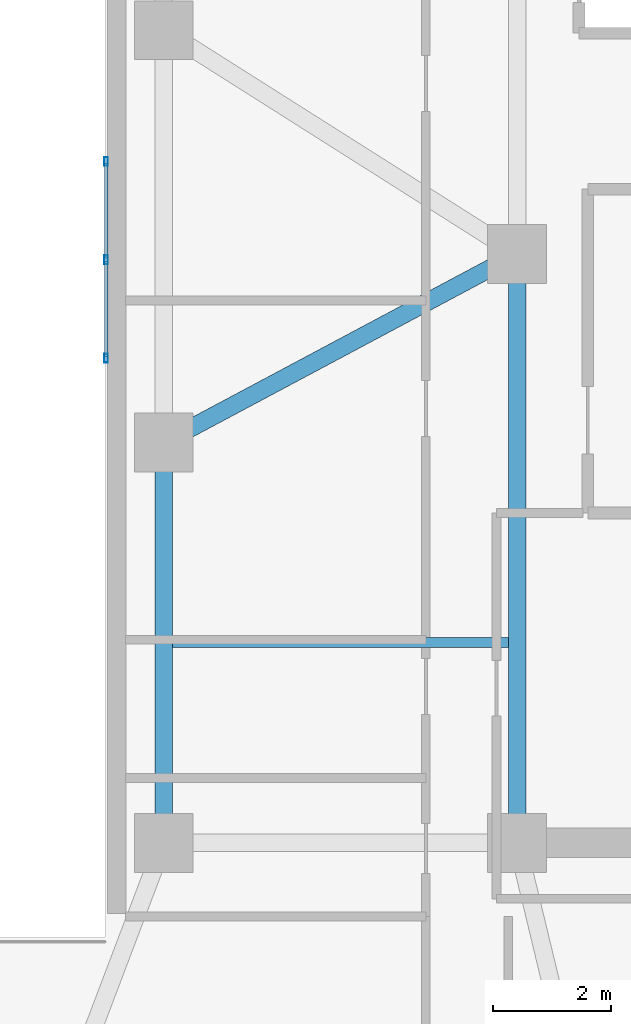
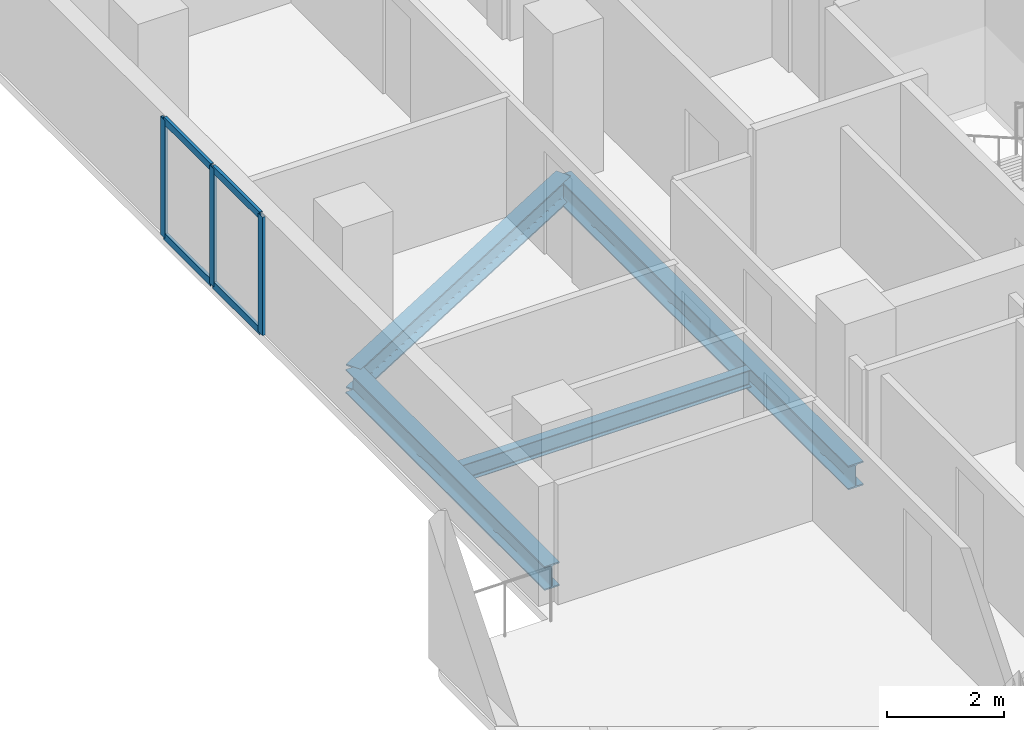
# One storey, part 8 of 18: 7 members, 4 beams, 1 element without a shape of its own.
"""IFC4 building model written with IfcOpenShell, lengths in metres."""

from ifc_helpers import new_model, si_unit, direction, frame, origin, origin_2d, place, context, subcontext, project, spatial, hollow_rectangle, i_section, extrude, material, material_profile, profile_set, type_object, element, aggregate, save


model = new_model("IFC4")

# Units and contexts
model_context = context("Model", 3, precision=1e-05, world=origin(), true_north=direction((0.0, 1.0)))
body_context = subcontext(model_context, "Body", "Model", "MODEL_VIEW")
ifc_project = project(units=[si_unit("LENGTHUNIT", "METRE"), si_unit("AREAUNIT", "SQUARE_METRE"), si_unit("VOLUMEUNIT", "CUBIC_METRE"), si_unit("PLANEANGLEUNIT", "RADIAN"), si_unit("MASSUNIT", "GRAM", prefix="KILO")], contexts=[model_context])

# Site, building, storey
site_placement = place(None, origin())
site = spatial("IfcSite", under=ifc_project, at=site_placement, CompositionType="ELEMENT")
building_placement = place(site_placement, origin())
building = spatial("IfcBuilding", under=site, at=building_placement, Name="Kuzgunbayir Cultural Tower", CompositionType="ELEMENT")
storey_placement = place(building_placement, frame((0.0, 0.0, 53.199951171875)))
storey = spatial("IfcBuildingStorey", under=building, at=storey_placement, Name="L14", CompositionType="ELEMENT", Elevation=53.199951171875)

# Beams
ifc_material_1 = material(Name="Steel S355J2", Category="steel")
ifc_material_profile_1 = material_profile(ifc_material_1, i_section(OverallWidth=0.300048828125, OverallDepth=0.5, WebThickness=0.014404296875, FlangeThickness=0.028076171875, FilletRadius=0.027099609375, at=origin_2d()), Name="HEB 500")
ifc_profile_set_1 = profile_set([ifc_material_profile_1], Name="Steel S355J2")
beam_type_1 = type_object("IfcBeamType", Name="BM-EXT-HEB500", PredefinedType="BEAM", material=ifc_profile_set_1)
beam_1_placement = place(storey_placement, frame((58.60009765625, 22.0, -0.429931640625), z_axis=(0.0, 1.0, 0.0), x_axis=(-1.0, 0.0, 0.0)))
element("IfcBeam", 1, at=beam_1_placement, inside=storey, type_object=beam_type_1, Name="L14 Companion West Girder", PredefinedType="BEAM", context=body_context, shape_type="SweptSolid", body=[
    extrude(i_section(OverallWidth=0.300048828125, OverallDepth=0.5, WebThickness=0.014404296875, FlangeThickness=0.028076171875, FilletRadius=0.027099609375, at=origin_2d()), origin(), (0.0, 0.0, 1.0), 6.800048828125),
])
ifc_material_profile_2 = material_profile(ifc_material_1, i_section(OverallWidth=0.300048828125, OverallDepth=0.5, WebThickness=0.014404296875, FlangeThickness=0.028076171875, FilletRadius=0.027099609375, at=origin_2d()), Name="HEB 500")
ifc_profile_set_2 = profile_set([ifc_material_profile_2], Name="Steel S355J2")
beam_type_2 = type_object("IfcBeamType", Name="BM-GIR-HEB500", PredefinedType="BEAM", material=ifc_profile_set_2)
beam_2_placement = place(storey_placement, frame((58.60009765625, 28.800048828125, -0.429931640625), z_axis=(0.882355922736, 0.470582644828, 0.0), x_axis=(-0.470582644828, 0.882355922736, 0.0)))
element("IfcBeam", 2, at=beam_2_placement, inside=storey, type_object=beam_type_2, Name="L14 Companion Transverse Girder 2", PredefinedType="BEAM", context=body_context, shape_type="SweptSolid", body=[
    extrude(i_section(OverallWidth=0.300048828125, OverallDepth=0.5, WebThickness=0.014404296875, FlangeThickness=0.028076171875, FilletRadius=0.027099609375, at=origin_2d()), origin(), (0.0, 0.0, 1.0), 6.800048828125),
])
beam_3_placement = place(storey_placement, frame((64.60009765625, 22.0, -0.429931640625), z_axis=(0.0, 1.0, 0.0), x_axis=(-1.0, 0.0, 0.0)))
element("IfcBeam", 3, at=beam_3_placement, inside=storey, type_object=beam_type_2, Name="L14 Companion Core West Girder 1", PredefinedType="BEAM", context=body_context, shape_type="SweptSolid", body=[
    extrude(i_section(OverallWidth=0.300048828125, OverallDepth=0.5, WebThickness=0.014404296875, FlangeThickness=0.028076171875, FilletRadius=0.027099609375, at=origin_2d()), origin(), (0.0, 0.0, 1.0), 10.0),
])
ifc_material_profile_3 = material_profile(ifc_material_1, i_section(OverallWidth=0.169921875, OverallDepth=0.360107421875, WebThickness=0.008056640625, FlangeThickness=0.0126953125, FilletRadius=0.01806640625, at=origin_2d()), Name="IPE 360")
ifc_profile_set_3 = profile_set([ifc_material_profile_3], Name="Steel S355J2")
beam_type_3 = type_object("IfcBeamType", Name="BM-JST-IPE360", PredefinedType="JOIST", material=ifc_profile_set_3)
beam_4_placement = place(storey_placement, frame((58.75, 25.39990234375, -0.35986328125), z_axis=(1.0, 0.0, 0.0), x_axis=(0.0, 1.0, 0.0)))
element("IfcBeam", 4, at=beam_4_placement, inside=storey, type_object=beam_type_3, Name="L14 Companion Joist", PredefinedType="JOIST", context=body_context, shape_type="SweptSolid", body=[
    extrude(i_section(OverallWidth=0.169921875, OverallDepth=0.360107421875, WebThickness=0.008056640625, FlangeThickness=0.0126953125, FilletRadius=0.01806640625, at=origin_2d()), origin(), (0.0, 0.0, 1.0), 5.699951171875),
])

# Curtain wall, members
ifc_material_2 = material(Name="Anodised Aluminium Framing", Category="aluminium")
curtain_wall_type = type_object("IfcCurtainWallType", Name="CW04-T2-CULTURAL", PredefinedType="NOTDEFINED", material=ifc_material_2)
curtain_wall_placement = place(storey_placement, origin())
curtain_wall = element("IfcCurtainWall", 5, at=curtain_wall_placement, inside=storey, type_object=curtain_wall_type, Name="L14 Companion Cultural Curtain Wall", PredefinedType="NOTDEFINED")
ifc_material_profile_4 = material_profile(ifc_material_2, hollow_rectangle(XDim=0.06005859375, YDim=0.14990234375, WallThickness=0.00390625, at=origin_2d()), Name="RHS 150x60x4")
ifc_profile_set_4 = profile_set([ifc_material_profile_4], Name="Anodised Aluminium Framing")
member_type_1 = type_object("IfcMemberType", Name="MEM-CW-MULLION-150", PredefinedType="MULLION", material=ifc_profile_set_4)
member_1_placement = place(storey_placement, frame((57.6201171875, 30.22998046875, 0.0), z_axis=(0.0, 0.0, 1.0), x_axis=(-1.0, 0.0, 0.0)))
member_1 = element("IfcMember", 6, at=member_1_placement, type_object=member_type_1, Name="CW04 mullion 1", PredefinedType="MULLION", context=body_context, shape_type="SweptSolid", body=[
    extrude(hollow_rectangle(XDim=0.06005859375, YDim=0.14990234375, WallThickness=0.00390625, at=origin_2d()), origin(), (0.0, 0.0, 1.0), 2.469970703125),
])
member_2_placement = place(storey_placement, frame((57.6201171875, 31.89990234375, 0.0), z_axis=(0.0, 0.0, 1.0), x_axis=(-1.0, 0.0, 0.0)))
member_2 = element("IfcMember", 7, at=member_2_placement, type_object=member_type_1, Name="CW04 mullion 2", PredefinedType="MULLION", context=body_context, shape_type="SweptSolid", body=[
    extrude(hollow_rectangle(XDim=0.06005859375, YDim=0.14990234375, WallThickness=0.00390625, at=origin_2d()), origin(), (0.0, 0.0, 1.0), 2.469970703125),
])
member_3_placement = place(storey_placement, frame((57.6201171875, 33.570068359375, 0.0), z_axis=(0.0, 0.0, 1.0), x_axis=(-1.0, 0.0, 0.0)))
member_3 = element("IfcMember", 8, at=member_3_placement, type_object=member_type_1, Name="CW04 mullion 3", PredefinedType="MULLION", context=body_context, shape_type="SweptSolid", body=[
    extrude(hollow_rectangle(XDim=0.06005859375, YDim=0.14990234375, WallThickness=0.00390625, at=origin_2d()), origin(), (0.0, 0.0, 1.0), 2.469970703125),
])
ifc_material_profile_5 = material_profile(ifc_material_2, hollow_rectangle(XDim=0.06005859375, YDim=0.14990234375, WallThickness=0.00390625, at=origin_2d()), Name="RHS 150x60x4")
ifc_profile_set_5 = profile_set([ifc_material_profile_5], Name="Anodised Aluminium Framing")
member_type_2 = type_object("IfcMemberType", Name="MEM-CW-TRANSOM-150", PredefinedType="USERDEFINED", material=ifc_profile_set_5)
member_4_placement = place(storey_placement, frame((57.6201171875, 30.260009765625, 0.030029296875), z_axis=(0.0, 1.0, 0.0), x_axis=(-1.0, 0.0, 0.0)))
member_4 = element("IfcMember", 9, at=member_4_placement, type_object=member_type_2, Name="CW04 transom 1.1", ObjectType="TRANSOM", PredefinedType="USERDEFINED", context=body_context, shape_type="SweptSolid", body=[
    extrude(hollow_rectangle(XDim=0.06005859375, YDim=0.14990234375, WallThickness=0.00390625, at=origin_2d()), origin(), (0.0, 0.0, 1.0), 1.610107421875),
])
member_5_placement = place(storey_placement, frame((57.6201171875, 30.260009765625, 2.43994140625), z_axis=(0.0, 1.0, 0.0), x_axis=(-1.0, 0.0, 0.0)))
member_5 = element("IfcMember", 10, at=member_5_placement, type_object=member_type_2, Name="CW04 transom 1.2", ObjectType="TRANSOM", PredefinedType="USERDEFINED", context=body_context, shape_type="SweptSolid", body=[
    extrude(hollow_rectangle(XDim=0.06005859375, YDim=0.14990234375, WallThickness=0.00390625, at=origin_2d()), origin(), (0.0, 0.0, 1.0), 1.610107421875),
])
member_6_placement = place(storey_placement, frame((57.6201171875, 31.929931640625, 0.030029296875), z_axis=(0.0, 1.0, 0.0), x_axis=(-1.0, 0.0, 0.0)))
member_6 = element("IfcMember", 11, at=member_6_placement, type_object=member_type_2, Name="CW04 transom 2.1", ObjectType="TRANSOM", PredefinedType="USERDEFINED", context=body_context, shape_type="SweptSolid", body=[
    extrude(hollow_rectangle(XDim=0.06005859375, YDim=0.14990234375, WallThickness=0.00390625, at=origin_2d()), origin(), (0.0, 0.0, 1.0), 1.610107421875),
])
member_7_placement = place(storey_placement, frame((57.6201171875, 31.929931640625, 2.43994140625), z_axis=(0.0, 1.0, 0.0), x_axis=(-1.0, 0.0, 0.0)))
member_7 = element("IfcMember", 12, at=member_7_placement, type_object=member_type_2, Name="CW04 transom 2.2", ObjectType="TRANSOM", PredefinedType="USERDEFINED", context=body_context, shape_type="SweptSolid", body=[
    extrude(hollow_rectangle(XDim=0.06005859375, YDim=0.14990234375, WallThickness=0.00390625, at=origin_2d()), origin(), (0.0, 0.0, 1.0), 1.610107421875),
])
aggregate(curtain_wall, [member_1, member_2, member_3, member_4, member_5, member_6, member_7])

save(model, "model.ifc")
